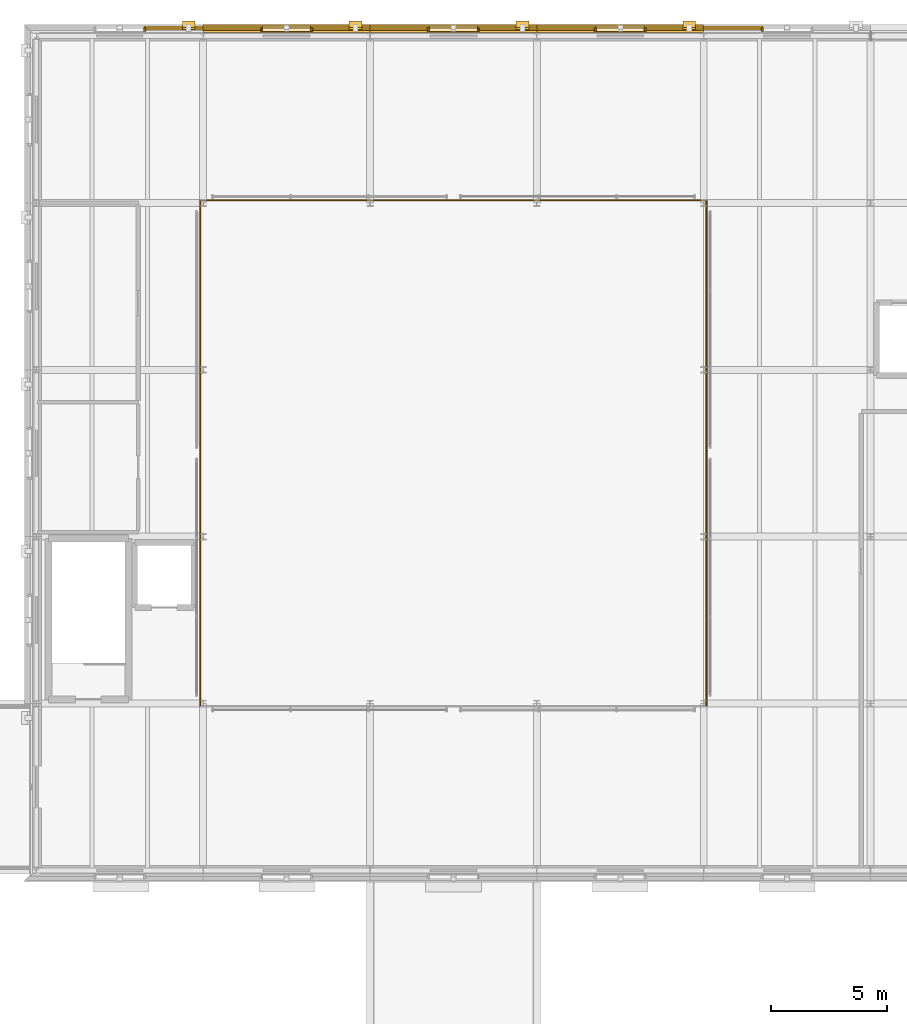
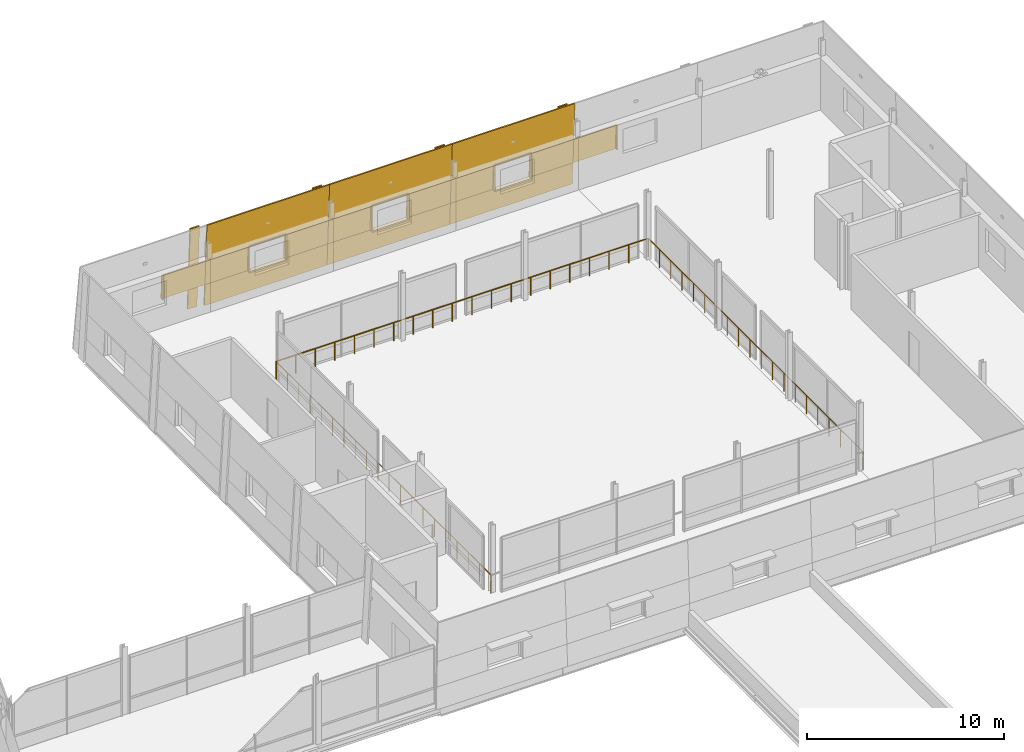
# One storey, part 114 of 115: 32 coverings, 3 railings.
"""IFC4 building model written with IfcOpenShell, lengths in metres."""

from ifc_helpers import new_model, si_unit, direction, frame, origin, origin_2d, place, context, subcontext, project, spatial, polyline, circle, outline, extrude, material, layer, layer_set, type_object, element, save


model = new_model("IFC4")

# Units and contexts
model_context = context("Model", 3, precision=1e-05, world=origin(), true_north=direction((0.0, 1.0)))
body_context = subcontext(model_context, "Body", "Model", "MODEL_VIEW")
ifc_project = project(units=[si_unit("LENGTHUNIT", "METRE"), si_unit("AREAUNIT", "SQUARE_METRE"), si_unit("VOLUMEUNIT", "CUBIC_METRE"), si_unit("PLANEANGLEUNIT", "RADIAN"), si_unit("MASSUNIT", "GRAM", prefix="KILO")], contexts=[model_context])

# Site, building, storey
site_placement = place(None, origin())
site = spatial("IfcSite", under=ifc_project, at=site_placement, CompositionType="ELEMENT")
building_placement = place(site_placement, origin())
building = spatial("IfcBuilding", under=site, at=building_placement, Name="Narikvali Park Central Library", CompositionType="ELEMENT")
storey_placement = place(building_placement, frame((0.0, 0.0, 10.199951171875)))
storey = spatial("IfcBuildingStorey", under=building, at=storey_placement, Name="L02", CompositionType="ELEMENT", Elevation=10.199951171875)

# Railings
ifc_material_1 = material(Name="Laminated Tempered Glass and Stainless Steel", Category="steel")
ifc_layer_1 = layer(ifc_material_1, 0.06005859375, Name="Laminated Tempered Glass and Stainless Steel")
ifc_layer_set_1 = layer_set([ifc_layer_1], Name="Laminated Tempered Glass and Stainless Steel")
railing_type = type_object("IfcRailingType", Name="Atrium Void Tempered Glass Guardrail 1150", PredefinedType="GUARDRAIL", material=ifc_layer_set_1)
railing_1_placement = place(storey_placement, frame((151.320068359375, 86.280029296875, 0.0)))
element("IfcRailing", 1, at=railing_1_placement, inside=storey, type_object=railing_type, Name="V3 L02 Void Edge Guardrail E", PredefinedType="GUARDRAIL", context=body_context, shape_type="SweptSolid", body=[
    extrude(circle(Radius=0.02392578125, at=origin_2d()), frame((0.0, 0.0, 1.1259765625), z_axis=(0.0, 1.0, 0.0), x_axis=(-1.0, 0.0, 0.0)), (0.0, 0.0, 1.0), 21.840087890625),
    extrude(circle(Radius=0.02099609375, at=origin_2d()), origin(), (0.0, 0.0, 1.0), 1.101806640625),
    extrude(circle(Radius=0.02099609375, at=origin_2d()), frame((0.0, 1.1494140625, 0.0)), (0.0, 0.0, 1.0), 1.101806640625),
    extrude(circle(Radius=0.02099609375, at=origin_2d()), frame((0.0, 2.299072265625, 0.0)), (0.0, 0.0, 1.0), 1.101806640625),
    extrude(circle(Radius=0.02099609375, at=origin_2d()), frame((0.0, 3.448486328125, 0.0)), (0.0, 0.0, 1.0), 1.101806640625),
    extrude(circle(Radius=0.02099609375, at=origin_2d()), frame((0.0, 4.597900390625, 0.0)), (0.0, 0.0, 1.0), 1.101806640625),
    extrude(circle(Radius=0.02099609375, at=origin_2d()), frame((0.0, 5.747314453125, 0.0)), (0.0, 0.0, 1.0), 1.101806640625),
    extrude(circle(Radius=0.02099609375, at=origin_2d()), frame((0.0, 6.89697265625, 0.0)), (0.0, 0.0, 1.0), 1.101806640625),
    extrude(circle(Radius=0.02099609375, at=origin_2d()), frame((0.0, 8.04638671875, 0.0)), (0.0, 0.0, 1.0), 1.101806640625),
    extrude(circle(Radius=0.02099609375, at=origin_2d()), frame((0.0, 9.19580078125, 0.0)), (0.0, 0.0, 1.0), 1.101806640625),
    extrude(circle(Radius=0.02099609375, at=origin_2d()), frame((0.0, 10.34521484375, 0.0)), (0.0, 0.0, 1.0), 1.101806640625),
    extrude(circle(Radius=0.02099609375, at=origin_2d()), frame((0.0, 11.494873046875, 0.0)), (0.0, 0.0, 1.0), 1.101806640625),
    extrude(circle(Radius=0.02099609375, at=origin_2d()), frame((0.0, 12.644287109375, 0.0)), (0.0, 0.0, 1.0), 1.101806640625),
    extrude(circle(Radius=0.02099609375, at=origin_2d()), frame((0.0, 13.793701171875, 0.0)), (0.0, 0.0, 1.0), 1.101806640625),
    extrude(circle(Radius=0.02099609375, at=origin_2d()), frame((0.0, 14.943115234375, 0.0)), (0.0, 0.0, 1.0), 1.101806640625),
    extrude(circle(Radius=0.02099609375, at=origin_2d()), frame((0.0, 16.0927734375, 0.0)), (0.0, 0.0, 1.0), 1.101806640625),
    extrude(circle(Radius=0.02099609375, at=origin_2d()), frame((0.0, 17.2421875, 0.0)), (0.0, 0.0, 1.0), 1.101806640625),
    extrude(circle(Radius=0.02099609375, at=origin_2d()), frame((0.0, 18.3916015625, 0.0)), (0.0, 0.0, 1.0), 1.101806640625),
    extrude(circle(Radius=0.02099609375, at=origin_2d()), frame((0.0, 19.541015625, 0.0)), (0.0, 0.0, 1.0), 1.101806640625),
    extrude(circle(Radius=0.02099609375, at=origin_2d()), frame((0.0, 20.690673828125, 0.0)), (0.0, 0.0, 1.0), 1.101806640625),
    extrude(circle(Radius=0.02099609375, at=origin_2d()), frame((0.0, 21.840087890625, 0.0)), (0.0, 0.0, 1.0), 1.101806640625),
])
railing_2_placement = place(storey_placement, frame((151.320068359375, 108.1201171875, 0.0)))
element("IfcRailing", 2, at=railing_2_placement, inside=storey, type_object=railing_type, Name="V3 L02 Void Edge Guardrail N", PredefinedType="GUARDRAIL", context=body_context, shape_type="SweptSolid", body=[
    extrude(circle(Radius=0.02392578125, at=origin_2d()), frame((0.0, 0.0, 1.1259765625), z_axis=(-1.0, 0.0, 0.0), x_axis=(0.0, -1.0, 0.0)), (0.0, 0.0, 1.0), 21.840087890625),
    extrude(circle(Radius=0.02099609375, at=origin_2d()), origin(), (0.0, 0.0, 1.0), 1.101806640625),
    extrude(circle(Radius=0.02099609375, at=origin_2d()), frame((-1.1494140625, 0.0, 0.0)), (0.0, 0.0, 1.0), 1.101806640625),
    extrude(circle(Radius=0.02099609375, at=origin_2d()), frame((-2.299072265625, 0.0, 0.0)), (0.0, 0.0, 1.0), 1.101806640625),
    extrude(circle(Radius=0.02099609375, at=origin_2d()), frame((-3.448486328125, 0.0, 0.0)), (0.0, 0.0, 1.0), 1.101806640625),
    extrude(circle(Radius=0.02099609375, at=origin_2d()), frame((-4.597900390625, 0.0, 0.0)), (0.0, 0.0, 1.0), 1.101806640625),
    extrude(circle(Radius=0.02099609375, at=origin_2d()), frame((-5.747314453125, 0.0, 0.0)), (0.0, 0.0, 1.0), 1.101806640625),
    extrude(circle(Radius=0.02099609375, at=origin_2d()), frame((-6.89697265625, 0.0, 0.0)), (0.0, 0.0, 1.0), 1.101806640625),
    extrude(circle(Radius=0.02099609375, at=origin_2d()), frame((-8.04638671875, 0.0, 0.0)), (0.0, 0.0, 1.0), 1.101806640625),
    extrude(circle(Radius=0.02099609375, at=origin_2d()), frame((-9.19580078125, 0.0, 0.0)), (0.0, 0.0, 1.0), 1.101806640625),
    extrude(circle(Radius=0.02099609375, at=origin_2d()), frame((-10.34521484375, 0.0, 0.0)), (0.0, 0.0, 1.0), 1.101806640625),
    extrude(circle(Radius=0.02099609375, at=origin_2d()), frame((-11.494873046875, 0.0, 0.0)), (0.0, 0.0, 1.0), 1.101806640625),
    extrude(circle(Radius=0.02099609375, at=origin_2d()), frame((-12.644287109375, 0.0, 0.0)), (0.0, 0.0, 1.0), 1.101806640625),
    extrude(circle(Radius=0.02099609375, at=origin_2d()), frame((-13.793701171875, 0.0, 0.0)), (0.0, 0.0, 1.0), 1.101806640625),
    extrude(circle(Radius=0.02099609375, at=origin_2d()), frame((-14.943115234375, 0.0, 0.0)), (0.0, 0.0, 1.0), 1.101806640625),
    extrude(circle(Radius=0.02099609375, at=origin_2d()), frame((-16.0927734375, 0.0, 0.0)), (0.0, 0.0, 1.0), 1.101806640625),
    extrude(circle(Radius=0.02099609375, at=origin_2d()), frame((-17.2421875, 0.0, 0.0)), (0.0, 0.0, 1.0), 1.101806640625),
    extrude(circle(Radius=0.02099609375, at=origin_2d()), frame((-18.3916015625, 0.0, 0.0)), (0.0, 0.0, 1.0), 1.101806640625),
    extrude(circle(Radius=0.02099609375, at=origin_2d()), frame((-19.541015625, 0.0, 0.0)), (0.0, 0.0, 1.0), 1.101806640625),
    extrude(circle(Radius=0.02099609375, at=origin_2d()), frame((-20.690673828125, 0.0, 0.0)), (0.0, 0.0, 1.0), 1.101806640625),
    extrude(circle(Radius=0.02099609375, at=origin_2d()), frame((-21.840087890625, 0.0, 0.0)), (0.0, 0.0, 1.0), 1.101806640625),
])
railing_3_placement = place(storey_placement, frame((129.47998046875, 108.1201171875, 0.0)))
element("IfcRailing", 3, at=railing_3_placement, inside=storey, type_object=railing_type, Name="V3 L02 Void Edge Guardrail W", PredefinedType="GUARDRAIL", context=body_context, shape_type="SweptSolid", body=[
    extrude(circle(Radius=0.02392578125, at=origin_2d()), frame((0.0, 0.0, 1.1259765625), z_axis=(0.0, -1.0, 0.0), x_axis=(1.0, 0.0, 0.0)), (0.0, 0.0, 1.0), 21.840087890625),
    extrude(circle(Radius=0.02099609375, at=origin_2d()), origin(), (0.0, 0.0, 1.0), 1.101806640625),
    extrude(circle(Radius=0.02099609375, at=origin_2d()), frame((0.0, -1.1494140625, 0.0)), (0.0, 0.0, 1.0), 1.101806640625),
    extrude(circle(Radius=0.02099609375, at=origin_2d()), frame((0.0, -2.299072265625, 0.0)), (0.0, 0.0, 1.0), 1.101806640625),
    extrude(circle(Radius=0.02099609375, at=origin_2d()), frame((0.0, -3.448486328125, 0.0)), (0.0, 0.0, 1.0), 1.101806640625),
    extrude(circle(Radius=0.02099609375, at=origin_2d()), frame((0.0, -4.597900390625, 0.0)), (0.0, 0.0, 1.0), 1.101806640625),
    extrude(circle(Radius=0.02099609375, at=origin_2d()), frame((0.0, -5.747314453125, 0.0)), (0.0, 0.0, 1.0), 1.101806640625),
    extrude(circle(Radius=0.02099609375, at=origin_2d()), frame((0.0, -6.89697265625, 0.0)), (0.0, 0.0, 1.0), 1.101806640625),
    extrude(circle(Radius=0.02099609375, at=origin_2d()), frame((0.0, -8.04638671875, 0.0)), (0.0, 0.0, 1.0), 1.101806640625),
    extrude(circle(Radius=0.02099609375, at=origin_2d()), frame((0.0, -9.19580078125, 0.0)), (0.0, 0.0, 1.0), 1.101806640625),
    extrude(circle(Radius=0.02099609375, at=origin_2d()), frame((0.0, -10.34521484375, 0.0)), (0.0, 0.0, 1.0), 1.101806640625),
    extrude(circle(Radius=0.02099609375, at=origin_2d()), frame((0.0, -11.494873046875, 0.0)), (0.0, 0.0, 1.0), 1.101806640625),
    extrude(circle(Radius=0.02099609375, at=origin_2d()), frame((0.0, -12.644287109375, 0.0)), (0.0, 0.0, 1.0), 1.101806640625),
    extrude(circle(Radius=0.02099609375, at=origin_2d()), frame((0.0, -13.793701171875, 0.0)), (0.0, 0.0, 1.0), 1.101806640625),
    extrude(circle(Radius=0.02099609375, at=origin_2d()), frame((0.0, -14.943115234375, 0.0)), (0.0, 0.0, 1.0), 1.101806640625),
    extrude(circle(Radius=0.02099609375, at=origin_2d()), frame((0.0, -16.0927734375, 0.0)), (0.0, 0.0, 1.0), 1.101806640625),
    extrude(circle(Radius=0.02099609375, at=origin_2d()), frame((0.0, -17.2421875, 0.0)), (0.0, 0.0, 1.0), 1.101806640625),
    extrude(circle(Radius=0.02099609375, at=origin_2d()), frame((0.0, -18.3916015625, 0.0)), (0.0, 0.0, 1.0), 1.101806640625),
    extrude(circle(Radius=0.02099609375, at=origin_2d()), frame((0.0, -19.541015625, 0.0)), (0.0, 0.0, 1.0), 1.101806640625),
    extrude(circle(Radius=0.02099609375, at=origin_2d()), frame((0.0, -20.690673828125, 0.0)), (0.0, 0.0, 1.0), 1.101806640625),
    extrude(circle(Radius=0.02099609375, at=origin_2d()), frame((0.0, -21.840087890625, 0.0)), (0.0, 0.0, 1.0), 1.101806640625),
])

# Coverings
ifc_material_2 = material(Name="White Honed Limestone Cladding", Category="masonry")
ifc_layer_2 = layer(ifc_material_2, 0.0849609375, Name="White Honed Limestone Cladding")
ifc_layer_set_2 = layer_set([ifc_layer_2], Name="White Honed Limestone Cladding")
covering_type_1 = type_object("IfcCoveringType", Name="Battered White Limestone Facade Cladding Panel", PredefinedType="CLADDING", material=ifc_layer_set_2)
covering_1_placement = place(storey_placement, frame((153.760009765625, 115.637939453125, 1.35009765625), z_axis=(0.0, 0.998646416446, 0.05201283419), x_axis=(-1.0, 0.0, 0.0)))
element("IfcCovering", 4, at=covering_1_placement, inside=storey, type_object=covering_type_1, Name="V3 L02 N Battered Limestone Jamb Pier R B02", PredefinedType="CLADDING", context=body_context, shape_type="SweptSolid", body=[
    extrude(outline(polyline([(0.0, 0.0), (2.56005859375, 0.0), (2.56005859375, 1.5020331273394072), (0.0, 1.5020331273394072), (0.0, 0.0)])), origin(), (0.0, 0.0, -1.0), 0.0849609375),
])
covering_2_placement = place(storey_placement, frame((150.85009765625, 115.848388671875, 0.0), z_axis=(0.0, 0.998645673528, 0.052027096241), x_axis=(-1.0, 0.0, 0.0)))
element("IfcCovering", 5, at=covering_2_placement, inside=storey, type_object=covering_type_1, Name="V3 L02 N Classical Limestone Pilaster B03", PredefinedType="CLADDING", context=body_context, shape_type="SweptSolid", body=[
    extrude(outline(polyline([(0.0, 0.0), (0.550048828125, 0.0), (0.550048828125, 5.157130923302659), (0.0, 5.157130923302659), (0.0, 0.0)])), origin(), (0.0, 0.0, -1.0), 0.0849609375),
])
covering_3_placement = place(storey_placement, frame((151.199951171875, 115.70849609375, 0.0), z_axis=(0.0, 0.998637216249, 0.052189178209), x_axis=(-1.0, 0.0, 0.0)))
element("IfcCovering", 6, at=covering_3_placement, inside=storey, type_object=covering_type_1, Name="V3 L02 N Battered Limestone Spandrel B03", PredefinedType="CLADDING", context=body_context, shape_type="SweptSolid", body=[
    extrude(outline(polyline([(0.0, 0.0), (7.199951171875, 0.0), (7.199951171875, 1.3519400581934202), (0.0, 1.3519400581934202), (0.0, 0.0)])), origin(), (0.0, 0.0, -1.0), 0.0849609375),
])
covering_4_placement = place(storey_placement, frame((151.199951171875, 115.559814453125, 2.85009765625), z_axis=(0.0, 0.998644637883, 0.052046971362), x_axis=(-1.0, 0.0, 0.0)))
element("IfcCovering", 7, at=covering_4_placement, inside=storey, type_object=covering_type_1, Name="V3 L02 N Battered Limestone Lintel B03", PredefinedType="CLADDING", context=body_context, shape_type="SweptSolid", body=[
    extrude(outline(polyline([(0.0, 0.0), (7.199951171875, 0.0), (7.199951171875, 2.3031704581133985), (0.0, 2.3031704581133985), (0.0, 0.0)])), origin(), (0.0, 0.0, -1.0), 0.0849609375),
])
for number, where, z_axis, x_axis, name in (
    (8, (151.199951171875, 115.637939453125, 1.35009765625), (0.0, 0.998646416446, 0.05201283419), (-1.0, 0.0, 0.0), "V3 L02 N Battered Limestone Jamb Pier L B03"),
    (9, (146.56005859375, 115.637939453125, 1.35009765625), (0.0, 0.998646416446, 0.05201283419), (-1.0, 0.0, 0.0), "V3 L02 N Battered Limestone Jamb Pier R B03"),
):
    element("IfcCovering", number, at=place(storey_placement, frame(where, z_axis=z_axis, x_axis=x_axis)), inside=storey, type_object=covering_type_1, Name=name, PredefinedType="CLADDING", context=body_context, shape_type="SweptSolid", body=[
        extrude(outline(polyline([(0.0, 0.0), (2.56005859375, 0.0), (2.56005859375, 1.5020331273394072), (0.0, 1.5020331273394072), (0.0, 0.0)])), origin(), (0.0, 0.0, -1.0), 0.0849609375),
    ])
covering_5_placement = place(storey_placement, frame((143.64990234375, 115.848388671875, 0.0), z_axis=(0.0, 0.998645673528, 0.052027096241), x_axis=(-1.0, 0.0, 0.0)))
element("IfcCovering", 10, at=covering_5_placement, inside=storey, type_object=covering_type_1, Name="V3 L02 N Classical Limestone Pilaster B04", PredefinedType="CLADDING", context=body_context, shape_type="SweptSolid", body=[
    extrude(outline(polyline([(0.0, 0.0), (0.5498046875, 0.0), (0.5498046875, 5.157130923302659), (0.0, 5.157130923302659), (0.0, 0.0)])), origin(), (0.0, 0.0, -1.0), 0.0849609375),
])
covering_6_placement = place(storey_placement, frame((144.0, 115.70849609375, 0.0), z_axis=(0.0, 0.998637216249, 0.052189178209), x_axis=(-1.0, 0.0, 0.0)))
element("IfcCovering", 11, at=covering_6_placement, inside=storey, type_object=covering_type_1, Name="V3 L02 N Battered Limestone Spandrel B04", PredefinedType="CLADDING", context=body_context, shape_type="SweptSolid", body=[
    extrude(outline(polyline([(0.0, 0.0), (7.199951171875, 0.0), (7.199951171875, 1.3519400581934202), (0.0, 1.3519400581934202), (0.0, 0.0)])), origin(), (0.0, 0.0, -1.0), 0.0849609375),
])
covering_7_placement = place(storey_placement, frame((144.0, 115.559814453125, 2.85009765625), z_axis=(0.0, 0.998644637883, 0.052046971362), x_axis=(-1.0, 0.0, 0.0)))
element("IfcCovering", 12, at=covering_7_placement, inside=storey, type_object=covering_type_1, Name="V3 L02 N Battered Limestone Lintel B04", PredefinedType="CLADDING", context=body_context, shape_type="SweptSolid", body=[
    extrude(outline(polyline([(0.0, 0.0), (7.199951171875, 0.0), (7.199951171875, 2.3031704581133985), (0.0, 2.3031704581133985), (0.0, 0.0)])), origin(), (0.0, 0.0, -1.0), 0.0849609375),
])
for number, where, z_axis, x_axis, name in (
    (13, (144.0, 115.637939453125, 1.35009765625), (0.0, 0.998646416446, 0.05201283419), (-1.0, 0.0, 0.0), "V3 L02 N Battered Limestone Jamb Pier L B04"),
    (14, (139.360107421875, 115.637939453125, 1.35009765625), (0.0, 0.998646416446, 0.05201283419), (-1.0, 0.0, 0.0), "V3 L02 N Battered Limestone Jamb Pier R B04"),
):
    element("IfcCovering", number, at=place(storey_placement, frame(where, z_axis=z_axis, x_axis=x_axis)), inside=storey, type_object=covering_type_1, Name=name, PredefinedType="CLADDING", context=body_context, shape_type="SweptSolid", body=[
        extrude(outline(polyline([(0.0, 0.0), (2.56005859375, 0.0), (2.56005859375, 1.5020331273394072), (0.0, 1.5020331273394072), (0.0, 0.0)])), origin(), (0.0, 0.0, -1.0), 0.0849609375),
    ])
covering_8_placement = place(storey_placement, frame((136.449951171875, 115.848388671875, 0.0), z_axis=(0.0, 0.998645673528, 0.052027096241), x_axis=(-1.0, 0.0, 0.0)))
element("IfcCovering", 15, at=covering_8_placement, inside=storey, type_object=covering_type_1, Name="V3 L02 N Classical Limestone Pilaster B05", PredefinedType="CLADDING", context=body_context, shape_type="SweptSolid", body=[
    extrude(outline(polyline([(0.0, 0.0), (0.550048828125, 0.0), (0.550048828125, 5.157130923302659), (0.0, 5.157130923302659), (0.0, 0.0)])), origin(), (0.0, 0.0, -1.0), 0.0849609375),
])
covering_9_placement = place(storey_placement, frame((136.800048828125, 115.70849609375, 0.0), z_axis=(0.0, 0.998637216249, 0.052189178209), x_axis=(-1.0, 0.0, 0.0)))
element("IfcCovering", 16, at=covering_9_placement, inside=storey, type_object=covering_type_1, Name="V3 L02 N Battered Limestone Spandrel B05", PredefinedType="CLADDING", context=body_context, shape_type="SweptSolid", body=[
    extrude(outline(polyline([(0.0, 0.0), (7.199951171875, 0.0), (7.199951171875, 1.3519400581934202), (0.0, 1.3519400581934202), (0.0, 0.0)])), origin(), (0.0, 0.0, -1.0), 0.0849609375),
])
covering_10_placement = place(storey_placement, frame((136.800048828125, 115.559814453125, 2.85009765625), z_axis=(0.0, 0.998644637883, 0.052046971362), x_axis=(-1.0, 0.0, 0.0)))
element("IfcCovering", 17, at=covering_10_placement, inside=storey, type_object=covering_type_1, Name="V3 L02 N Battered Limestone Lintel B05", PredefinedType="CLADDING", context=body_context, shape_type="SweptSolid", body=[
    extrude(outline(polyline([(0.0, 0.0), (7.199951171875, 0.0), (7.199951171875, 2.3031704581133985), (0.0, 2.3031704581133985), (0.0, 0.0)])), origin(), (0.0, 0.0, -1.0), 0.0849609375),
])
covering_11_placement = place(storey_placement, frame((136.800048828125, 115.637939453125, 1.35009765625), z_axis=(0.0, 0.998646416446, 0.05201283419), x_axis=(-1.0, 0.0, 0.0)))
element("IfcCovering", 18, at=covering_11_placement, inside=storey, type_object=covering_type_1, Name="V3 L02 N Battered Limestone Jamb Pier L B05", PredefinedType="CLADDING", context=body_context, shape_type="SweptSolid", body=[
    extrude(outline(polyline([(0.0, 0.0), (2.56005859375, 0.0), (2.56005859375, 1.5020331273394072), (0.0, 1.5020331273394072), (0.0, 0.0)])), origin(), (0.0, 0.0, -1.0), 0.0849609375),
])
covering_12_placement = place(storey_placement, frame((132.159912109375, 115.637939453125, 1.35009765625), z_axis=(0.0, 0.998646416446, 0.05201283419), x_axis=(-1.0, 0.0, 0.0)))
element("IfcCovering", 19, at=covering_12_placement, inside=storey, type_object=covering_type_1, Name="V3 L02 N Battered Limestone Jamb Pier R B05", PredefinedType="CLADDING", context=body_context, shape_type="SweptSolid", body=[
    extrude(outline(polyline([(0.0, 0.0), (2.559814453125, 0.0), (2.559814453125, 1.5020331273394074), (0.0, 1.5020331273394074), (0.0, 0.0)])), origin(), (0.0, 0.0, -1.0), 0.0849609375),
])
covering_13_placement = place(storey_placement, frame((129.25, 115.848388671875, 0.0), z_axis=(0.0, 0.998645673528, 0.052027096241), x_axis=(-1.0, 0.0, 0.0)))
element("IfcCovering", 20, at=covering_13_placement, inside=storey, type_object=covering_type_1, Name="V3 L02 N Classical Limestone Pilaster B06", PredefinedType="CLADDING", context=body_context, shape_type="SweptSolid", body=[
    extrude(outline(polyline([(0.0, 0.0), (0.550048828125, 0.0), (0.550048828125, 5.157130923302659), (0.0, 5.157130923302659), (0.0, 0.0)])), origin(), (0.0, 0.0, -1.0), 0.0849609375),
])
covering_14_placement = place(storey_placement, frame((129.60009765625, 115.637939453125, 1.35009765625), z_axis=(0.0, 0.998646416446, 0.05201283419), x_axis=(-1.0, 0.0, 0.0)))
element("IfcCovering", 21, at=covering_14_placement, inside=storey, type_object=covering_type_1, Name="V3 L02 N Battered Limestone Jamb Pier L B06", PredefinedType="CLADDING", context=body_context, shape_type="SweptSolid", body=[
    extrude(outline(polyline([(0.0, 0.0), (2.56005859375, 0.0), (2.56005859375, 1.5020331273394072), (0.0, 1.5020331273394072), (0.0, 0.0)])), origin(), (0.0, 0.0, -1.0), 0.0849609375),
])
ifc_layer_3 = layer(ifc_material_2, 0.080078125, Name="White Honed Limestone Cladding")
ifc_layer_set_3 = layer_set([ifc_layer_3], Name="White Honed Limestone Cladding")
covering_type_2 = type_object("IfcCoveringType", Name="Deep Carved White Limestone Window Reveal", PredefinedType="CLADDING", material=ifc_layer_set_3)
covering_15_placement = place(storey_placement, frame((0.0, 0.0, 1.35009765625)))
element("IfcCovering", 22, at=covering_15_placement, inside=storey, type_object=covering_type_2, Name="Deep Stone Reveal Jamb R V3-RVL-L02-N-B02", PredefinedType="CLADDING", context=body_context, shape_type="SweptSolid", body=[
    extrude(outline(polyline([(153.760009765625, 115.405029296875), (153.679931640625, 115.405029296875), (153.679931640625, 115.559814453125), (153.760009765625, 115.559814453125), (153.760009765625, 115.405029296875)])), origin(), (0.0, 0.0, 1.0), 1.5),
])
covering_16_placement = place(storey_placement, frame((0.0, 0.0, 2.85009765625)))
element("IfcCovering", 23, at=covering_16_placement, inside=storey, type_object=covering_type_2, Name="Deep Stone Reveal Head V3-RVL-L02-N-B03", PredefinedType="CLADDING", context=body_context, shape_type="SweptSolid", body=[
    extrude(outline(polyline([(148.679931640625, 115.405029296875), (146.52001953125, 115.405029296875), (146.52001953125, 115.559814453125), (148.679931640625, 115.559814453125), (148.679931640625, 115.405029296875)])), origin(), (0.0, 0.0, 1.0), 0.079833984375),
])
covering_17_placement = place(storey_placement, frame((0.0, 0.0, 1.27001953125)))
element("IfcCovering", 24, at=covering_17_placement, inside=storey, type_object=covering_type_2, Name="Deep Stone Reveal Sill V3-RVL-L02-N-B03", PredefinedType="CLADDING", context=body_context, shape_type="SweptSolid", body=[
    extrude(outline(polyline([(148.679931640625, 115.405029296875), (146.52001953125, 115.405029296875), (146.52001953125, 115.637939453125), (148.679931640625, 115.637939453125), (148.679931640625, 115.405029296875)])), origin(), (0.0, 0.0, 1.0), 0.080078125),
])
covering_18_placement = place(storey_placement, frame((0.0, 0.0, 1.35009765625)))
element("IfcCovering", 25, at=covering_18_placement, inside=storey, type_object=covering_type_2, Name="Deep Stone Reveal Jamb L V3-RVL-L02-N-B03", PredefinedType="CLADDING", context=body_context, shape_type="SweptSolid", body=[
    extrude(outline(polyline([(148.719970703125, 115.405029296875), (148.639892578125, 115.405029296875), (148.639892578125, 115.559814453125), (148.719970703125, 115.559814453125), (148.719970703125, 115.405029296875)])), origin(), (0.0, 0.0, 1.0), 1.5),
])
covering_19_placement = place(storey_placement, frame((0.0, 0.0, 1.35009765625)))
element("IfcCovering", 26, at=covering_19_placement, inside=storey, type_object=covering_type_2, Name="Deep Stone Reveal Jamb R V3-RVL-L02-N-B03", PredefinedType="CLADDING", context=body_context, shape_type="SweptSolid", body=[
    extrude(outline(polyline([(146.56005859375, 115.405029296875), (146.47998046875, 115.405029296875), (146.47998046875, 115.559814453125), (146.56005859375, 115.559814453125), (146.56005859375, 115.405029296875)])), origin(), (0.0, 0.0, 1.0), 1.5),
])
covering_20_placement = place(storey_placement, frame((0.0, 0.0, 2.85009765625)))
element("IfcCovering", 27, at=covering_20_placement, inside=storey, type_object=covering_type_2, Name="Deep Stone Reveal Head V3-RVL-L02-N-B04", PredefinedType="CLADDING", context=body_context, shape_type="SweptSolid", body=[
    extrude(outline(polyline([(141.47998046875, 115.405029296875), (139.320068359375, 115.405029296875), (139.320068359375, 115.559814453125), (141.47998046875, 115.559814453125), (141.47998046875, 115.405029296875)])), origin(), (0.0, 0.0, 1.0), 0.079833984375),
])
covering_21_placement = place(storey_placement, frame((0.0, 0.0, 1.27001953125)))
element("IfcCovering", 28, at=covering_21_placement, inside=storey, type_object=covering_type_2, Name="Deep Stone Reveal Sill V3-RVL-L02-N-B04", PredefinedType="CLADDING", context=body_context, shape_type="SweptSolid", body=[
    extrude(outline(polyline([(141.47998046875, 115.405029296875), (139.320068359375, 115.405029296875), (139.320068359375, 115.637939453125), (141.47998046875, 115.637939453125), (141.47998046875, 115.405029296875)])), origin(), (0.0, 0.0, 1.0), 0.080078125),
])
covering_22_placement = place(storey_placement, frame((0.0, 0.0, 1.35009765625)))
element("IfcCovering", 29, at=covering_22_placement, inside=storey, type_object=covering_type_2, Name="Deep Stone Reveal Jamb L V3-RVL-L02-N-B04", PredefinedType="CLADDING", context=body_context, shape_type="SweptSolid", body=[
    extrude(outline(polyline([(141.52001953125, 115.405029296875), (141.43994140625, 115.405029296875), (141.43994140625, 115.559814453125), (141.52001953125, 115.559814453125), (141.52001953125, 115.405029296875)])), origin(), (0.0, 0.0, 1.0), 1.5),
])
covering_23_placement = place(storey_placement, frame((0.0, 0.0, 1.35009765625)))
element("IfcCovering", 30, at=covering_23_placement, inside=storey, type_object=covering_type_2, Name="Deep Stone Reveal Jamb R V3-RVL-L02-N-B04", PredefinedType="CLADDING", context=body_context, shape_type="SweptSolid", body=[
    extrude(outline(polyline([(139.360107421875, 115.405029296875), (139.280029296875, 115.405029296875), (139.280029296875, 115.559814453125), (139.360107421875, 115.559814453125), (139.360107421875, 115.405029296875)])), origin(), (0.0, 0.0, 1.0), 1.5),
])
covering_24_placement = place(storey_placement, frame((0.0, 0.0, 2.85009765625)))
element("IfcCovering", 31, at=covering_24_placement, inside=storey, type_object=covering_type_2, Name="Deep Stone Reveal Head V3-RVL-L02-N-B05", PredefinedType="CLADDING", context=body_context, shape_type="SweptSolid", body=[
    extrude(outline(polyline([(134.280029296875, 115.405029296875), (132.1201171875, 115.405029296875), (132.1201171875, 115.559814453125), (134.280029296875, 115.559814453125), (134.280029296875, 115.405029296875)])), origin(), (0.0, 0.0, 1.0), 0.079833984375),
])
covering_25_placement = place(storey_placement, frame((0.0, 0.0, 1.27001953125)))
element("IfcCovering", 32, at=covering_25_placement, inside=storey, type_object=covering_type_2, Name="Deep Stone Reveal Sill V3-RVL-L02-N-B05", PredefinedType="CLADDING", context=body_context, shape_type="SweptSolid", body=[
    extrude(outline(polyline([(134.280029296875, 115.405029296875), (132.1201171875, 115.405029296875), (132.1201171875, 115.637939453125), (134.280029296875, 115.637939453125), (134.280029296875, 115.405029296875)])), origin(), (0.0, 0.0, 1.0), 0.080078125),
])
covering_26_placement = place(storey_placement, frame((0.0, 0.0, 1.35009765625)))
element("IfcCovering", 33, at=covering_26_placement, inside=storey, type_object=covering_type_2, Name="Deep Stone Reveal Jamb L V3-RVL-L02-N-B05", PredefinedType="CLADDING", context=body_context, shape_type="SweptSolid", body=[
    extrude(outline(polyline([(134.320068359375, 115.405029296875), (134.239990234375, 115.405029296875), (134.239990234375, 115.559814453125), (134.320068359375, 115.559814453125), (134.320068359375, 115.405029296875)])), origin(), (0.0, 0.0, 1.0), 1.5),
])
covering_27_placement = place(storey_placement, frame((0.0, 0.0, 1.35009765625)))
element("IfcCovering", 34, at=covering_27_placement, inside=storey, type_object=covering_type_2, Name="Deep Stone Reveal Jamb R V3-RVL-L02-N-B05", PredefinedType="CLADDING", context=body_context, shape_type="SweptSolid", body=[
    extrude(outline(polyline([(132.159912109375, 115.405029296875), (132.080078125, 115.405029296875), (132.080078125, 115.559814453125), (132.159912109375, 115.559814453125), (132.159912109375, 115.405029296875)])), origin(), (0.0, 0.0, 1.0), 1.5),
])
covering_28_placement = place(storey_placement, frame((0.0, 0.0, 1.35009765625)))
element("IfcCovering", 35, at=covering_28_placement, inside=storey, type_object=covering_type_2, Name="Deep Stone Reveal Jamb L V3-RVL-L02-N-B06", PredefinedType="CLADDING", context=body_context, shape_type="SweptSolid", body=[
    extrude(outline(polyline([(127.1201171875, 115.405029296875), (127.0400390625, 115.405029296875), (127.0400390625, 115.559814453125), (127.1201171875, 115.559814453125), (127.1201171875, 115.405029296875)])), origin(), (0.0, 0.0, 1.0), 1.5),
])

save(model, "model.ifc")
